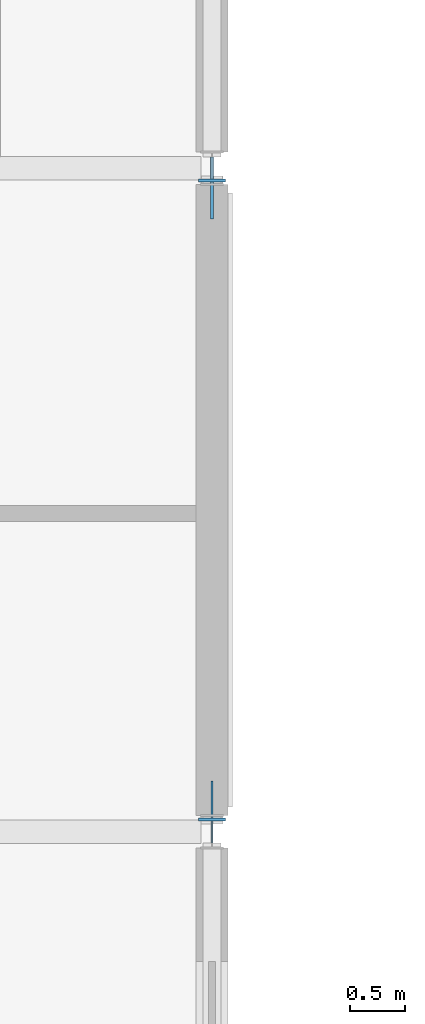
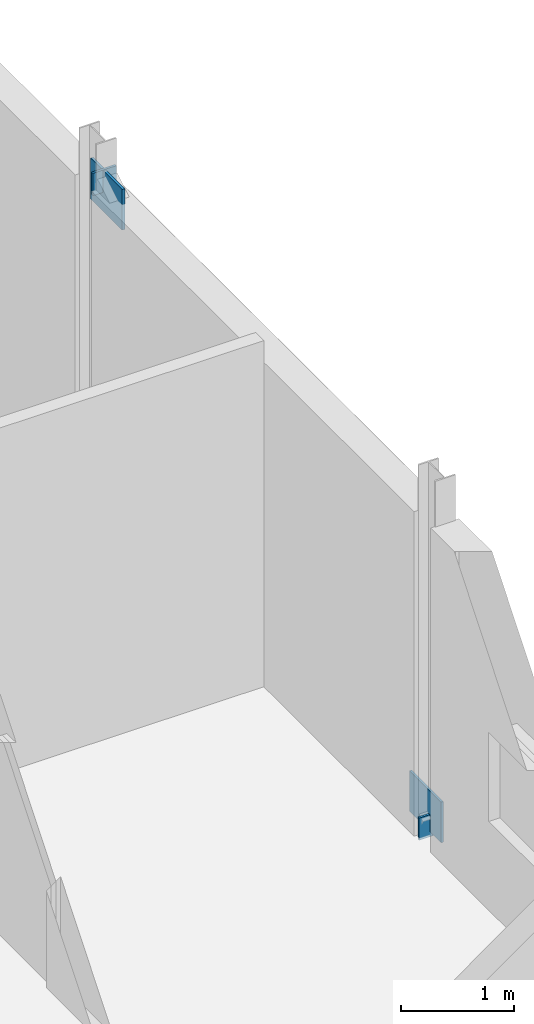
# One storey, part 27 of 45: 4 plates.
"""IFC4 building model written with IfcOpenShell, lengths in metres."""

from ifc_helpers import new_model, si_unit, direction, frame, origin, origin_2d, place, context, subcontext, project, spatial, rectangle, extrude, material, layer, layer_set, type_object, element, save


model = new_model("IFC4")

# Units and contexts
model_context = context("Model", 3, precision=1e-05, world=origin(), true_north=direction((0.0, 1.0)))
body_context = subcontext(model_context, "Body", "Model", "MODEL_VIEW")
ifc_project = project(units=[si_unit("LENGTHUNIT", "METRE"), si_unit("AREAUNIT", "SQUARE_METRE"), si_unit("VOLUMEUNIT", "CUBIC_METRE"), si_unit("PLANEANGLEUNIT", "RADIAN"), si_unit("MASSUNIT", "GRAM", prefix="KILO")], contexts=[model_context])

# Site, building, storey
site_placement = place(None, origin())
site = spatial("IfcSite", under=ifc_project, at=site_placement, CompositionType="ELEMENT")
building_placement = place(site_placement, origin())
building = spatial("IfcBuilding", under=site, at=building_placement, Name="Siltcreek Boulevard Central Fire Station", CompositionType="ELEMENT")
storey_placement = place(building_placement, frame((0.0, 0.0, 10.0)))
storey = spatial("IfcBuildingStorey", under=building, at=storey_placement, Name="L03", CompositionType="ELEMENT", Elevation=10.0)

# Plates
ifc_material = material(Name="Structural steel ASTM A572 Gr50", Category="steel")
ifc_layer_1 = layer(ifc_material, 0.02490234375, Name="Structural steel ASTM A572 Gr50")
ifc_layer_set_1 = layer_set([ifc_layer_1], Name="Structural steel ASTM A572 Gr50")
plate_type_1 = type_object("IfcPlateType", Name="PL_CAP25", PredefinedType="USERDEFINED", material=ifc_layer_set_1)
for number, where, z_axis, x_axis, name in (
    (1, (108.0, 36.111083984375, -0.025390625), (0.0, 0.0, 1.0), (0.0, 1.0, 0.0), "L03 buckling-restrained brace BR-010 sealed end cap 1"),
    (2, (108.0, 41.888916015625, 3.435546875), (0.0, 0.0, 1.0), (0.0, 1.0, 0.0), "L03 buckling-restrained brace BR-010 sealed end cap 2"),
):
    element("IfcPlate", number, at=place(storey_placement, frame(where, z_axis=z_axis, x_axis=x_axis)), inside=storey, type_object=plate_type_1, Name=name, ObjectType="END CAP", PredefinedType="USERDEFINED", context=body_context, shape_type="SweptSolid", body=[
        extrude(rectangle(XDim=0.02490234375, YDim=0.239990234375, at=origin_2d()), origin(), (0.0, 0.0, 1.0), 0.239990234375),
    ])
ifc_layer_2 = layer(ifc_material, 0.02197265625, Name="Structural steel ASTM A572 Gr50")
ifc_layer_set_2 = layer_set([ifc_layer_2], Name="Structural steel ASTM A572 Gr50")
plate_type_2 = type_object("IfcPlateType", Name="PL_GUS22", PredefinedType="USERDEFINED", material=ifc_layer_set_2)
plate_1_placement = place(storey_placement, frame((108.0, 36.179931640625, 0.030029296875), z_axis=(0.0, 0.0, 1.0), x_axis=(0.0, 1.0, 0.0)))
element("IfcPlate", 3, at=plate_1_placement, inside=storey, type_object=plate_type_2, Name="Seismic brace bot gusset plate GP-053", ObjectType="GUSSET PLATE", PredefinedType="USERDEFINED", context=body_context, shape_type="SweptSolid", body=[
    extrude(rectangle(XDim=0.56005859375, YDim=0.02197265625, at=origin_2d()), origin(), (0.0, 0.0, 1.0), 0.43994140625),
])
ifc_layer_3 = layer(ifc_material, 0.028076171875, Name="Structural steel ASTM A572 Gr50")
ifc_layer_set_3 = layer_set([ifc_layer_3], Name="Structural steel ASTM A572 Gr50")
plate_type_3 = type_object("IfcPlateType", Name="PL_GUS28", PredefinedType="USERDEFINED", material=ifc_layer_set_3)
plate_2_placement = place(storey_placement, frame((108.0, 41.820068359375, 3.22998046875), z_axis=(0.0, 0.0, 1.0), x_axis=(0.0, 1.0, 0.0)))
element("IfcPlate", 4, at=plate_2_placement, inside=storey, type_object=plate_type_3, Name="Seismic brace top gusset plate GP-054", ObjectType="GUSSET PLATE", PredefinedType="USERDEFINED", context=body_context, shape_type="SweptSolid", body=[
    extrude(rectangle(XDim=0.56005859375, YDim=0.028076171875, at=origin_2d()), origin(), (0.0, 0.0, 1.0), 0.43994140625),
])

save(model, "model.ifc")
